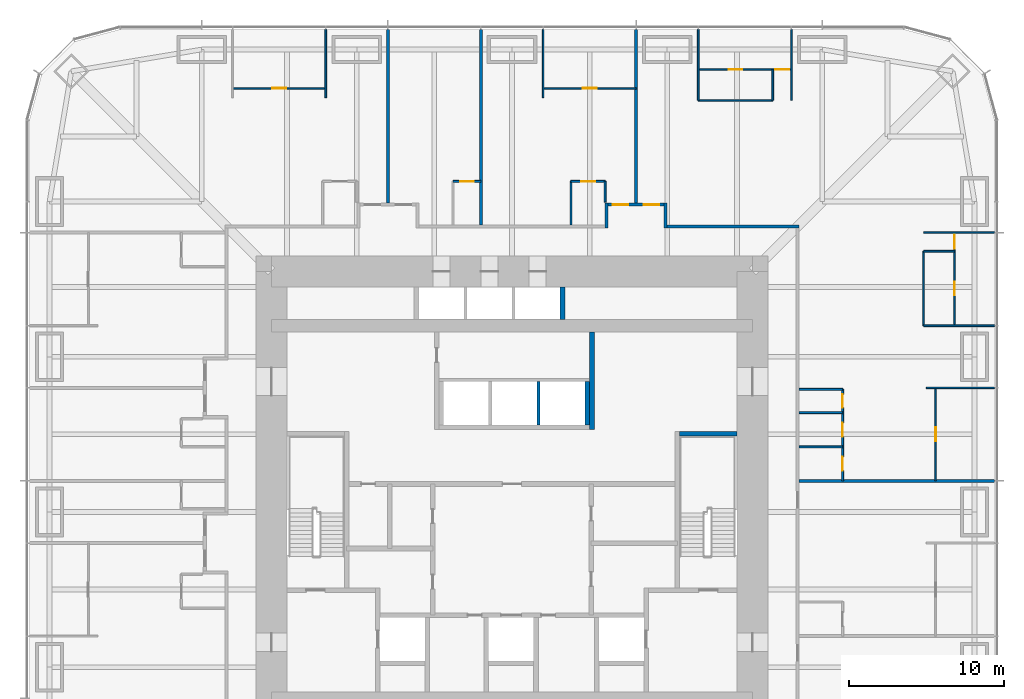
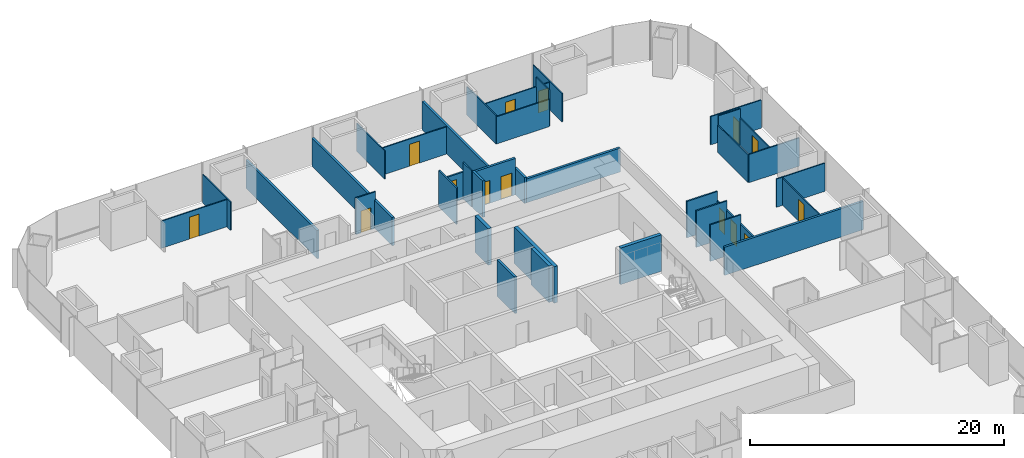
# One storey, part 15 of 17: 37 walls, 14 doors, 14 openings.
"""IFC4 building model written with IfcOpenShell, lengths in metres."""

from ifc_helpers import new_model, si_unit, direction, frame, frame_2d, origin, place, context, subcontext, project, spatial, rectangle, extrude, material, layer, layer_set, type_object, element, fill, save


model = new_model("IFC4")

# Units and contexts
model_context = context("Model", 3, precision=1e-05, world=origin(), true_north=direction((0.0, 1.0)))
body_context = subcontext(model_context, "Body", "Model", "MODEL_VIEW")
ifc_project = project(units=[si_unit("LENGTHUNIT", "METRE"), si_unit("AREAUNIT", "SQUARE_METRE"), si_unit("VOLUMEUNIT", "CUBIC_METRE"), si_unit("PLANEANGLEUNIT", "RADIAN"), si_unit("MASSUNIT", "GRAM", prefix="KILO")], contexts=[model_context])

# Site, building, storey
site_placement = place(None, origin())
site = spatial("IfcSite", under=ifc_project, at=site_placement, CompositionType="ELEMENT")
building_placement = place(site_placement, origin())
building = spatial("IfcBuilding", under=site, at=building_placement, Name="Khuree Lantern Residences", CompositionType="ELEMENT")
storey_placement = place(building_placement, frame((0.0, 0.0, 73.5)))
storey = spatial("IfcBuildingStorey", under=building, at=storey_placement, Name="L18", CompositionType="ELEMENT", Elevation=73.5)

# Wall, openings, doors
ifc_material_1 = material(Name="Moisture-resistant gypsum board on steel studs", Category="steel")
ifc_layer_1 = layer(ifc_material_1, 0.125)
ifc_layer_set_1 = layer_set([ifc_layer_1], Name="BATHROOM WALL BTW125")
wall_type_1 = type_object("IfcWallType", Name="BATHROOM WALL BTW125", PredefinedType="PARTITIONING", material=ifc_layer_set_1)
wall_1_placement = place(storey_placement, frame((21.300048828125, 2.0, 0.0), z_axis=(0.0, 0.0, 1.0), x_axis=(0.0, 1.0, 0.0)))
wall_1 = element("IfcWall", 1, at=wall_1_placement, inside=storey, type_object=wall_type_1, Name="L18 BATHROOM WALL 02", PredefinedType="PARTITIONING", context=body_context, shape_type="SweptSolid", body=[
    extrude(rectangle(XDim=5.89990234375, YDim=0.125, at=frame_2d((2.949951171875, 0.0))), origin(), (0.0, 0.0, 1.0), 2.610107421875),
])
opening_1_placement = place(wall_1_placement, frame((0.64990234375, 0.0, 0.0)))
opening_1 = element("IfcOpeningElement", 2, at=opening_1_placement, cuts=wall_1, Name="Opening 18-030", PredefinedType="OPENING", context=body_context, shape_type="SweptSolid", body=[
    extrude(rectangle(XDim=0.89990234375, YDim=2.10009765625, at=frame_2d((0.449951171875, 1.050048828125))), frame((0.0, 0.072509765625, 0.0), z_axis=(0.0, -1.0, 0.0), x_axis=(1.0, 0.0, 0.0)), (0.0, 0.0, 1.0), 0.14501953125),
])
opening_2_placement = place(wall_1_placement, frame((2.85009765625, 0.0, 0.0)))
opening_2 = element("IfcOpeningElement", 3, at=opening_2_placement, cuts=wall_1, Name="Opening 18-031", PredefinedType="OPENING", context=body_context, shape_type="SweptSolid", body=[
    extrude(rectangle(XDim=0.89990234375, YDim=2.10009765625, at=frame_2d((0.449951171875, 1.050048828125))), frame((0.0, 0.072509765625, 0.0), z_axis=(0.0, -1.0, 0.0), x_axis=(1.0, 0.0, 0.0)), (0.0, 0.0, 1.0), 0.14501953125),
])
opening_3_placement = place(wall_1_placement, frame((4.699951171875, 0.0, 0.0)))
opening_3 = element("IfcOpeningElement", 4, at=opening_3_placement, cuts=wall_1, Name="Opening 18-032", PredefinedType="OPENING", context=body_context, shape_type="SweptSolid", body=[
    extrude(rectangle(XDim=0.89990234375, YDim=2.10009765625, at=frame_2d((0.449951171875, 1.050048828125))), frame((0.0, 0.072509765625, 0.0), z_axis=(0.0, -1.0, 0.0), x_axis=(1.0, 0.0, 0.0)), (0.0, 0.0, 1.0), 0.14501953125),
])
ifc_material_2 = material(Name="Timber door leaf in hardwood frame", Category="wood")
door_type_1 = type_object("IfcDoorType", Name="BATHROOM DOOR 900X2100", OperationType="SINGLE_SWING_LEFT", PredefinedType="DOOR", material=ifc_material_2)
door_1_placement = place(opening_1_placement, origin())
door_1 = element("IfcDoor", 5, at=door_1_placement, inside=storey, type_object=door_type_1, Name="Bathroom door 18-030", OperationType="SINGLE_SWING_LEFT", OverallHeight=2.10009765625, OverallWidth=0.89990234375, PredefinedType="DOOR", context=body_context, shape_type="SweptSolid", body=[
    extrude(rectangle(XDim=0.89990234375, YDim=2.10009765625, at=frame_2d((0.449951171875, 1.050048828125))), frame((0.0, 0.02490234375, 0.0), z_axis=(0.0, -1.0, 0.0), x_axis=(1.0, 0.0, 0.0)), (0.0, 0.0, 1.0), 0.050048828125),
])
fill(opening_1, door_1)
door_2_placement = place(opening_2_placement, origin())
door_2 = element("IfcDoor", 6, at=door_2_placement, inside=storey, type_object=door_type_1, Name="Bathroom door 18-031", OperationType="SINGLE_SWING_LEFT", OverallHeight=2.10009765625, OverallWidth=0.89990234375, PredefinedType="DOOR", context=body_context, shape_type="SweptSolid", body=[
    extrude(rectangle(XDim=0.89990234375, YDim=2.10009765625, at=frame_2d((0.449951171875, 1.050048828125))), frame((0.0, 0.02490234375, 0.0), z_axis=(0.0, -1.0, 0.0), x_axis=(1.0, 0.0, 0.0)), (0.0, 0.0, 1.0), 0.050048828125),
])
fill(opening_2, door_2)
door_type_2 = type_object("IfcDoorType", Name="WC DOOR 900X2100", OperationType="SINGLE_SWING_LEFT", PredefinedType="DOOR", material=ifc_material_2)
door_3_placement = place(opening_3_placement, origin())
door_3 = element("IfcDoor", 7, at=door_3_placement, inside=storey, type_object=door_type_2, Name="WC door 18-032", OperationType="SINGLE_SWING_LEFT", OverallHeight=2.10009765625, OverallWidth=0.89990234375, PredefinedType="DOOR", context=body_context, shape_type="SweptSolid", body=[
    extrude(rectangle(XDim=0.89990234375, YDim=2.10009765625, at=frame_2d((0.449951171875, 1.050048828125))), frame((0.0, 0.02490234375, 0.0), z_axis=(0.0, -1.0, 0.0), x_axis=(1.0, 0.0, 0.0)), (0.0, 0.0, 1.0), 0.050048828125),
])
fill(opening_3, door_3)

# Walls
for number, where, z_axis, x_axis, name in (
    (8, (18.5, 4.199951171875, 0.0), (0.0, 0.0, 1.0), (1.0, 0.0, 0.0), "L18 BATHROOM WALL 02"),
    (9, (18.5, 6.39990234375, 0.0), (0.0, 0.0, 1.0), (1.0, 0.0, 0.0), "L18 BATHROOM WALL 02"),
    (10, (18.5, 7.89990234375, 0.0), (0.0, 0.0, 1.0), (1.0, 0.0, 0.0), "L18 BATHROOM WALL 02"),
):
    element("IfcWall", number, at=place(storey_placement, frame(where, z_axis=z_axis, x_axis=x_axis)), inside=storey, type_object=wall_type_1, Name=name, PredefinedType="PARTITIONING", context=body_context, shape_type="SweptSolid", body=[
        extrude(rectangle(XDim=2.800048828125, YDim=0.125, at=frame_2d((1.39990234375, 0.0))), origin(), (0.0, 0.0, 1.0), 3.5),
    ])

# Wall, opening, door
wall_2_placement = place(storey_placement, frame((6.0, 21.300048828125, 0.0), z_axis=(0.0, 0.0, 1.0), x_axis=(-1.0, 0.0, 0.0)))
wall_2 = element("IfcWall", 11, at=wall_2_placement, inside=storey, type_object=wall_type_1, Name="L18 BATHROOM WALL 03", PredefinedType="PARTITIONING", context=body_context, shape_type="SweptSolid", body=[
    extrude(rectangle(XDim=2.199951171875, YDim=0.125, at=frame_2d((1.10009765625, 0.0))), origin(), (0.0, 0.0, 1.0), 2.610107421875),
])
opening_4_placement = place(wall_2_placement, frame((0.64990234375, 0.0, 0.0)))
opening_4 = element("IfcOpeningElement", 12, at=opening_4_placement, cuts=wall_2, Name="Opening 18-035", PredefinedType="OPENING", context=body_context, shape_type="SweptSolid", body=[
    extrude(rectangle(XDim=0.89990234375, YDim=2.10009765625, at=frame_2d((0.449951171875, 1.050048828125))), frame((0.0, 0.072509765625, 0.0), z_axis=(0.0, -1.0, 0.0), x_axis=(1.0, 0.0, 0.0)), (0.0, 0.0, 1.0), 0.14501953125),
])
door_4_placement = place(opening_4_placement, origin())
door_4 = element("IfcDoor", 13, at=door_4_placement, inside=storey, type_object=door_type_1, Name="Bathroom door 18-035", OperationType="SINGLE_SWING_LEFT", OverallHeight=2.10009765625, OverallWidth=0.89990234375, PredefinedType="DOOR", context=body_context, shape_type="SweptSolid", body=[
    extrude(rectangle(XDim=0.89990234375, YDim=2.10009765625, at=frame_2d((0.449951171875, 1.050048828125))), frame((0.0, 0.02490234375, 0.0), z_axis=(0.0, -1.0, 0.0), x_axis=(1.0, 0.0, 0.0)), (0.0, 0.0, 1.0), 0.050048828125),
])
fill(opening_4, door_4)

# Walls
wall_3_placement = place(storey_placement, frame((6.0, 19.969970703125, 0.0), z_axis=(0.0, 0.0, 1.0), x_axis=(0.0, 1.0, 0.0)))
element("IfcWall", 14, at=wall_3_placement, inside=storey, type_object=wall_type_1, Name="L18 BATHROOM WALL 03", PredefinedType="PARTITIONING", context=body_context, shape_type="SweptSolid", body=[
    extrude(rectangle(XDim=1.330078125, YDim=0.125, at=frame_2d((0.6650390625, 0.0))), origin(), (0.0, 0.0, 1.0), 3.5),
])
wall_4_placement = place(storey_placement, frame((3.800048828125, 18.5, 0.0), z_axis=(0.0, 0.0, 1.0), x_axis=(0.0, 1.0, 0.0)))
element("IfcWall", 15, at=wall_4_placement, inside=storey, type_object=wall_type_1, Name="L18 BATHROOM WALL 03", PredefinedType="PARTITIONING", context=body_context, shape_type="SweptSolid", body=[
    extrude(rectangle(XDim=2.800048828125, YDim=0.125, at=frame_2d((1.39990234375, 0.0))), origin(), (0.0, 0.0, 1.0), 3.5),
])

# Wall, opening, door
wall_5_placement = place(storey_placement, frame((-2.0, 21.300048828125, 0.0), z_axis=(0.0, 0.0, 1.0), x_axis=(-1.0, 0.0, 0.0)))
wall_5 = element("IfcWall", 16, at=wall_5_placement, inside=storey, type_object=wall_type_1, Name="L18 BATHROOM WALL 04", PredefinedType="PARTITIONING", context=body_context, shape_type="SweptSolid", body=[
    extrude(rectangle(XDim=1.800048828125, YDim=0.125, at=frame_2d((0.89990234375, 0.0))), origin(), (0.0, 0.0, 1.0), 3.5),
])
opening_5_placement = place(wall_5_placement, frame((0.449951171875, 0.0, 0.0)))
opening_5 = element("IfcOpeningElement", 17, at=opening_5_placement, cuts=wall_5, Name="Opening 18-037", PredefinedType="OPENING", context=body_context, shape_type="SweptSolid", body=[
    extrude(rectangle(XDim=0.89990234375, YDim=2.10009765625, at=frame_2d((0.449951171875, 1.050048828125))), frame((0.0, 0.072509765625, 0.0), z_axis=(0.0, -1.0, 0.0), x_axis=(1.0, 0.0, 0.0)), (0.0, 0.0, 1.0), 0.14501953125),
])
door_5_placement = place(opening_5_placement, origin())
door_5 = element("IfcDoor", 18, at=door_5_placement, inside=storey, type_object=door_type_1, Name="Bathroom door 18-037", OperationType="SINGLE_SWING_LEFT", OverallHeight=2.10009765625, OverallWidth=0.89990234375, PredefinedType="DOOR", context=body_context, shape_type="SweptSolid", body=[
    extrude(rectangle(XDim=0.89990234375, YDim=2.10009765625, at=frame_2d((0.449951171875, 1.050048828125))), frame((0.0, 0.02490234375, 0.0), z_axis=(0.0, -1.0, 0.0), x_axis=(1.0, 0.0, 0.0)), (0.0, 0.0, 1.0), 0.050048828125),
])
fill(opening_5, door_5)

# Walls
ifc_material_3 = material(Name="Dense concrete blockwork", Category="masonry")
ifc_layer_2 = layer(ifc_material_3, 0.300048828125)
ifc_layer_set_2 = layer_set([ifc_layer_2], Name="CORE PARTITION WALL CPW300 EI 120")
wall_type_2 = type_object("IfcWallType", Name="CORE PARTITION WALL CPW300 EI 120", PredefinedType="PARTITIONING", material=ifc_layer_set_2)
wall_6_placement = place(storey_placement, frame((4.85009765625, 5.60009765625, 0.0), z_axis=(0.0, 0.0, 1.0), x_axis=(0.0, 1.0, 0.0)))
element("IfcWall", 19, at=wall_6_placement, inside=storey, type_object=wall_type_2, Name="L18 CORE WALL PHE", PredefinedType="PARTITIONING", context=body_context, shape_type="SweptSolid", body=[
    extrude(rectangle(XDim=2.7998046875, YDim=0.300048828125, at=frame_2d((1.39990234375, 0.0))), origin(), (0.0, 0.0, 1.0), 3.5),
])
wall_7_placement = place(storey_placement, frame((3.25, 12.39990234375, 0.0), z_axis=(0.0, 0.0, 1.0), x_axis=(0.0, 1.0, 0.0)))
element("IfcWall", 20, at=wall_7_placement, inside=storey, type_object=wall_type_2, Name="L18 CORE WALL PLE", PredefinedType="PARTITIONING", context=body_context, shape_type="SweptSolid", body=[
    extrude(rectangle(XDim=2.10009765625, YDim=0.300048828125, at=frame_2d((1.050048828125, 0.0))), origin(), (0.0, 0.0, 1.0), 3.5),
])
wall_8_placement = place(storey_placement, frame((5.14990234375, 5.300048828125, 0.0), z_axis=(0.0, 0.0, 1.0), x_axis=(0.0, 1.0, 0.0)))
element("IfcWall", 21, at=wall_8_placement, inside=storey, type_object=wall_type_2, Name="L18 CORE WALL NE", PredefinedType="PARTITIONING", context=body_context, shape_type="SweptSolid", body=[
    extrude(rectangle(XDim=6.300048828125, YDim=0.300048828125, at=frame_2d((3.14990234375, 0.0))), origin(), (0.0, 0.0, 1.0), 3.5),
])
ifc_material_4 = material(Name="Gypsum board on steel studs", Category="steel")
ifc_layer_3 = layer(ifc_material_4, 0.199951171875)
ifc_layer_set_3 = layer_set([ifc_layer_3], Name="CORRIDOR WALL CRW200 EI 60")
wall_type_3 = type_object("IfcWallType", Name="CORRIDOR WALL CRW200 EI 60", PredefinedType="PARTITIONING", material=ifc_layer_set_3)
wall_9_placement = place(storey_placement, frame((6.10009765625, 18.300048828125, 0.0), z_axis=(0.0, 0.0, 1.0), x_axis=(0.0, 1.0, 0.0)))
element("IfcWall", 22, at=wall_9_placement, inside=storey, type_object=wall_type_3, Name="L18 CORRIDOR ALCOVE WALL NORTH", PredefinedType="PARTITIONING", context=body_context, shape_type="SweptSolid", body=[
    extrude(rectangle(XDim=1.599853515625, YDim=0.199951171875, at=frame_2d((0.7998046875, 0.0))), origin(), (0.0, 0.0, 1.0), 3.5),
])
wall_10_placement = place(storey_placement, frame((9.89990234375, 18.300048828125, 0.0), z_axis=(0.0, 0.0, 1.0), x_axis=(0.0, 1.0, 0.0)))
element("IfcWall", 23, at=wall_10_placement, inside=storey, type_object=wall_type_3, Name="L18 CORRIDOR ALCOVE WALL NORTH", PredefinedType="PARTITIONING", context=body_context, shape_type="SweptSolid", body=[
    extrude(rectangle(XDim=1.599853515625, YDim=0.199951171875, at=frame_2d((0.7998046875, 0.0))), origin(), (0.0, 0.0, 1.0), 2.491943359375),
])

# Wall, openings, doors
wall_11_placement = place(storey_placement, frame((6.199951171875, 19.800048828125, 0.0), z_axis=(0.0, 0.0, 1.0), x_axis=(1.0, 0.0, 0.0)))
wall_11 = element("IfcWall", 24, at=wall_11_placement, inside=storey, type_object=wall_type_3, Name="L18 CORRIDOR ALCOVE WALL NORTH", PredefinedType="PARTITIONING", context=body_context, shape_type="SweptSolid", body=[
    extrude(rectangle(XDim=3.60009765625, YDim=0.199951171875, at=frame_2d((1.800048828125, 0.0))), origin(), (0.0, 0.0, 1.0), 3.5),
])
opening_6_placement = place(wall_11_placement, frame((2.300048828125, 0.0, 0.0)))
opening_6 = element("IfcOpeningElement", 25, at=opening_6_placement, cuts=wall_11, Name="Opening 18-033", PredefinedType="OPENING", context=body_context, shape_type="SweptSolid", body=[
    extrude(rectangle(XDim=1.0, YDim=2.199951171875, at=frame_2d((0.5, 1.10009765625))), frame((0.0, 0.10986328125, 0.0), z_axis=(0.0, -1.0, 0.0), x_axis=(1.0, 0.0, 0.0)), (0.0, 0.0, 1.0), 0.219970703125),
])
opening_7_placement = place(wall_11_placement, frame((0.300048828125, 0.0, 0.0)))
opening_7 = element("IfcOpeningElement", 26, at=opening_7_placement, cuts=wall_11, Name="Opening 18-036", PredefinedType="OPENING", context=body_context, shape_type="SweptSolid", body=[
    extrude(rectangle(XDim=1.0, YDim=2.199951171875, at=frame_2d((0.5, 1.10009765625))), frame((0.0, 0.10986328125, 0.0), z_axis=(0.0, -1.0, 0.0), x_axis=(1.0, 0.0, 0.0)), (0.0, 0.0, 1.0), 0.219970703125),
])
door_type_3 = type_object("IfcDoorType", Name="APARTMENT ENTRANCE DOOR 1000X2200 EI 30S", OperationType="SINGLE_SWING_LEFT", PredefinedType="DOOR", material=ifc_material_2)
door_6_placement = place(opening_6_placement, origin())
door_6 = element("IfcDoor", 27, at=door_6_placement, inside=storey, type_object=door_type_3, Name="Apartment 02 entrance door 18-033", OperationType="SINGLE_SWING_LEFT", OverallHeight=2.199951171875, OverallWidth=1.0, PredefinedType="DOOR", context=body_context, shape_type="SweptSolid", body=[
    extrude(rectangle(XDim=1.0, YDim=2.199951171875, at=frame_2d((0.5, 1.10009765625))), frame((0.0, 0.02490234375, 0.0), z_axis=(0.0, -1.0, 0.0), x_axis=(1.0, 0.0, 0.0)), (0.0, 0.0, 1.0), 0.050048828125),
])
fill(opening_6, door_6)
door_7_placement = place(opening_7_placement, origin())
door_7 = element("IfcDoor", 28, at=door_7_placement, inside=storey, type_object=door_type_3, Name="Apartment 03 entrance door 18-036", OperationType="SINGLE_SWING_LEFT", OverallHeight=2.199951171875, OverallWidth=1.0, PredefinedType="DOOR", context=body_context, shape_type="SweptSolid", body=[
    extrude(rectangle(XDim=1.0, YDim=2.199951171875, at=frame_2d((0.5, 1.10009765625))), frame((0.0, 0.02490234375, 0.0), z_axis=(0.0, -1.0, 0.0), x_axis=(1.0, 0.0, 0.0)), (0.0, 0.0, 1.0), 0.050048828125),
])
fill(opening_7, door_7)

# Walls
wall_12_placement = place(storey_placement, frame((10.0, 18.39990234375, 0.0), z_axis=(0.0, 0.0, 1.0), x_axis=(1.0, 0.0, 0.0)))
element("IfcWall", 29, at=wall_12_placement, inside=storey, type_object=wall_type_3, Name="L18 CORRIDOR WALL NORTH 3", PredefinedType="PARTITIONING", context=body_context, shape_type="SweptSolid", body=[
    extrude(rectangle(XDim=8.5, YDim=0.199951171875, at=frame_2d((4.25, 0.0))), origin(), (0.0, 0.0, 1.0), 2.300048828125),
])
ifc_layer_4 = layer(ifc_material_4, 0.199951171875)
ifc_layer_set_4 = layer_set([ifc_layer_4], Name="DEMISING WALL DMW200 EI 90")
wall_type_4 = type_object("IfcWallType", Name="DEMISING WALL DMW200 EI 90", PredefinedType="PARTITIONING", material=ifc_layer_set_4)
wall_13_placement = place(storey_placement, frame((18.5, 2.0, 0.0), z_axis=(0.0, 0.0, 1.0), x_axis=(1.0, 0.0, 0.0)))
element("IfcWall", 30, at=wall_13_placement, inside=storey, type_object=wall_type_4, Name="L18 DEMISING WALL 02", PredefinedType="PARTITIONING", context=body_context, shape_type="SweptSolid", body=[
    extrude(rectangle(XDim=12.60009765625, YDim=0.199951171875, at=frame_2d((6.300048828125, 0.0))), origin(), (0.0, 0.0, 1.0), 2.7099609375),
])
wall_14_placement = place(storey_placement, frame((8.0, 19.89990234375, 0.0), z_axis=(0.0, 0.0, 1.0), x_axis=(0.0, 1.0, 0.0)))
element("IfcWall", 31, at=wall_14_placement, inside=storey, type_object=wall_type_4, Name="L18 DEMISING WALL 03", PredefinedType="PARTITIONING", context=body_context, shape_type="SweptSolid", body=[
    extrude(rectangle(XDim=11.2001953125, YDim=0.199951171875, at=frame_2d((5.60009765625, 0.0))), origin(), (0.0, 0.0, 1.0), 2.7099609375),
])
wall_15_placement = place(storey_placement, frame((-2.0, 18.5, 0.0), z_axis=(0.0, 0.0, 1.0), x_axis=(0.0, 1.0, 0.0)))
element("IfcWall", 32, at=wall_15_placement, inside=storey, type_object=wall_type_4, Name="L18 DEMISING WALL 04", PredefinedType="PARTITIONING", context=body_context, shape_type="SweptSolid", body=[
    extrude(rectangle(XDim=12.60009765625, YDim=0.199951171875, at=frame_2d((6.300048828125, 0.0))), origin(), (0.0, 0.0, 1.0), 2.7099609375),
])
wall_16_placement = place(storey_placement, frame((-8.0, 19.89990234375, 0.0), z_axis=(0.0, 0.0, 1.0), x_axis=(0.0, 1.0, 0.0)))
element("IfcWall", 33, at=wall_16_placement, inside=storey, type_object=wall_type_4, Name="L18 DEMISING WALL 05", PredefinedType="PARTITIONING", context=body_context, shape_type="SweptSolid", body=[
    extrude(rectangle(XDim=11.2001953125, YDim=0.199951171875, at=frame_2d((5.60009765625, 0.0))), origin(), (0.0, 0.0, 1.0), 2.7099609375),
])
ifc_layer_5 = layer(ifc_material_4, 0.10009765625)
ifc_layer_set_5 = layer_set([ifc_layer_5], Name="PARTITION PT100")
wall_type_5 = type_object("IfcWallType", Name="PARTITION PT100", PredefinedType="PARTITIONING", material=ifc_layer_set_5)
wall_17_placement = place(storey_placement, frame((26.699951171875, 8.0, 0.0), z_axis=(0.0, 0.0, 1.0), x_axis=(1.0, 0.0, 0.0)))
element("IfcWall", 34, at=wall_17_placement, inside=storey, type_object=wall_type_5, Name="L18 PARTITION 02", PredefinedType="PARTITIONING", context=body_context, shape_type="SweptSolid", body=[
    extrude(rectangle(XDim=4.400146484375, YDim=0.10009765625, at=frame_2d((2.2001953125, 0.0))), origin(), (0.0, 0.0, 1.0), 2.7099609375),
])
for number, where, z_axis, x_axis, name in (
    (35, (26.5166015625, 12.0, 0.0), (0.0, 0.0, 1.0), (1.0, 0.0, 0.0), "L18 PARTITION 02"),
    (36, (26.5166015625, 18.0, 0.0), (0.0, 0.0, 1.0), (1.0, 0.0, 0.0), "L18 PARTITION 02"),
    (37, (18.0, 26.5166015625, 0.0), (0.0, 0.0, 1.0), (0.0, 1.0, 0.0), "L18 PARTITION 02"),
    (38, (12.0, 26.5166015625, 0.0), (0.0, 0.0, 1.0), (0.0, 1.0, 0.0), "L18 PARTITION 02"),
):
    element("IfcWall", number, at=place(storey_placement, frame(where, z_axis=z_axis, x_axis=x_axis)), inside=storey, type_object=wall_type_5, Name=name, PredefinedType="PARTITIONING", context=body_context, shape_type="SweptSolid", body=[
        extrude(rectangle(XDim=4.58349609375, YDim=0.10009765625, at=frame_2d((2.291748046875, 0.0))), origin(), (0.0, 0.0, 1.0), 2.7099609375),
    ])
for number, where, z_axis, x_axis, name in (
    (39, (2.0, 26.699951171875, 0.0), (0.0, 0.0, 1.0), (0.0, 1.0, 0.0), "L18 PARTITION 03"),
    (40, (-12.0, 26.699951171875, 0.0), (0.0, 0.0, 1.0), (0.0, 1.0, 0.0), "L18 PARTITION 05"),
):
    element("IfcWall", number, at=place(storey_placement, frame(where, z_axis=z_axis, x_axis=x_axis)), inside=storey, type_object=wall_type_5, Name=name, PredefinedType="PARTITIONING", context=body_context, shape_type="SweptSolid", body=[
        extrude(rectangle(XDim=4.400146484375, YDim=0.10009765625, at=frame_2d((2.2001953125, 0.0))), origin(), (0.0, 0.0, 1.0), 2.7099609375),
    ])

# Wall, opening, door
wall_18_placement = place(storey_placement, frame((27.300048828125, 2.0, 0.0), z_axis=(0.0, 0.0, 1.0), x_axis=(0.0, 1.0, 0.0)))
wall_18 = element("IfcWall", 41, at=wall_18_placement, inside=storey, type_object=wall_type_5, Name="L18 PARTITION 02", PredefinedType="PARTITIONING", context=body_context, shape_type="SweptSolid", body=[
    extrude(rectangle(XDim=6.0, YDim=0.10009765625, at=frame_2d((3.0, 0.0))), origin(), (0.0, 0.0, 1.0), 2.610107421875),
])
opening_8_placement = place(wall_18_placement, frame((2.550048828125, 0.0, 0.0)))
opening_8 = element("IfcOpeningElement", 42, at=opening_8_placement, cuts=wall_18, Name="Opening 18-025", PredefinedType="OPENING", context=body_context, shape_type="SweptSolid", body=[
    extrude(rectangle(XDim=0.89990234375, YDim=2.10009765625, at=frame_2d((0.449951171875, 1.050048828125))), frame((0.0, 0.06005859375, 0.0), z_axis=(0.0, -1.0, 0.0), x_axis=(1.0, 0.0, 0.0)), (0.0, 0.0, 1.0), 0.1201171875),
])
door_type_4 = type_object("IfcDoorType", Name="BEDROOM DOOR 900X2100", OperationType="SINGLE_SWING_LEFT", PredefinedType="DOOR", material=ifc_material_2)
door_8_placement = place(opening_8_placement, origin())
door_8 = element("IfcDoor", 43, at=door_8_placement, inside=storey, type_object=door_type_4, Name="Bedroom door 18-025", OperationType="SINGLE_SWING_LEFT", OverallHeight=2.10009765625, OverallWidth=0.89990234375, PredefinedType="DOOR", context=body_context, shape_type="SweptSolid", body=[
    extrude(rectangle(XDim=0.89990234375, YDim=2.10009765625, at=frame_2d((0.449951171875, 1.050048828125))), frame((0.0, 0.02490234375, 0.0), z_axis=(0.0, -1.0, 0.0), x_axis=(1.0, 0.0, 0.0)), (0.0, 0.0, 1.0), 0.050048828125),
])
fill(opening_8, door_8)

# Wall, openings, doors
wall_19_placement = place(storey_placement, frame((28.5166015625, 12.0, 0.0), z_axis=(0.0, 0.0, 1.0), x_axis=(0.0, 1.0, 0.0)))
wall_19 = element("IfcWall", 44, at=wall_19_placement, inside=storey, type_object=wall_type_5, Name="L18 PARTITION 02", PredefinedType="PARTITIONING", context=body_context, shape_type="SweptSolid", body=[
    extrude(rectangle(XDim=6.0, YDim=0.10009765625, at=frame_2d((3.0, 0.0))), origin(), (0.0, 0.0, 1.0), 2.610107421875),
])
opening_9_placement = place(wall_19_placement, frame((4.949951171875, 0.0, 0.0)))
opening_9 = element("IfcOpeningElement", 45, at=opening_9_placement, cuts=wall_19, Name="Opening 18-026", PredefinedType="OPENING", context=body_context, shape_type="SweptSolid", body=[
    extrude(rectangle(XDim=0.89990234375, YDim=2.10009765625, at=frame_2d((0.449951171875, 1.050048828125))), frame((0.0, 0.06005859375, 0.0), z_axis=(0.0, -1.0, 0.0), x_axis=(1.0, 0.0, 0.0)), (0.0, 0.0, 1.0), 0.1201171875),
])
opening_10_placement = place(wall_19_placement, frame((1.949951171875, 0.0, 0.0)))
opening_10 = element("IfcOpeningElement", 46, at=opening_10_placement, cuts=wall_19, Name="Opening 18-027", PredefinedType="OPENING", context=body_context, shape_type="SweptSolid", body=[
    extrude(rectangle(XDim=0.89990234375, YDim=2.10009765625, at=frame_2d((0.449951171875, 1.050048828125))), frame((0.0, 0.06005859375, 0.0), z_axis=(0.0, -1.0, 0.0), x_axis=(1.0, 0.0, 0.0)), (0.0, 0.0, 1.0), 0.1201171875),
])
door_9_placement = place(opening_9_placement, origin())
door_9 = element("IfcDoor", 47, at=door_9_placement, inside=storey, type_object=door_type_4, Name="Bedroom door 18-026", OperationType="SINGLE_SWING_LEFT", OverallHeight=2.10009765625, OverallWidth=0.89990234375, PredefinedType="DOOR", context=body_context, shape_type="SweptSolid", body=[
    extrude(rectangle(XDim=0.89990234375, YDim=2.10009765625, at=frame_2d((0.449951171875, 1.050048828125))), frame((0.0, 0.02490234375, 0.0), z_axis=(0.0, -1.0, 0.0), x_axis=(1.0, 0.0, 0.0)), (0.0, 0.0, 1.0), 0.050048828125),
])
fill(opening_9, door_9)
door_type_5 = type_object("IfcDoorType", Name="DOOR 900X2100", OperationType="SINGLE_SWING_LEFT", PredefinedType="DOOR", material=ifc_material_2)
door_10_placement = place(opening_10_placement, origin())
door_10 = element("IfcDoor", 48, at=door_10_placement, inside=storey, type_object=door_type_5, Name="Wardrobe door 18-027", OperationType="SINGLE_SWING_LEFT", OverallHeight=2.10009765625, OverallWidth=0.89990234375, PredefinedType="DOOR", context=body_context, shape_type="SweptSolid", body=[
    extrude(rectangle(XDim=0.89990234375, YDim=2.10009765625, at=frame_2d((0.449951171875, 1.050048828125))), frame((0.0, 0.02490234375, 0.0), z_axis=(0.0, -1.0, 0.0), x_axis=(1.0, 0.0, 0.0)), (0.0, 0.0, 1.0), 0.050048828125),
])
fill(opening_10, door_10)

# Walls
wall_20_placement = place(storey_placement, frame((26.5166015625, 16.800048828125, 0.0), z_axis=(0.0, 0.0, 1.0), x_axis=(1.0, 0.0, 0.0)))
element("IfcWall", 49, at=wall_20_placement, inside=storey, type_object=wall_type_5, Name="L18 PARTITION 02", PredefinedType="PARTITIONING", context=body_context, shape_type="SweptSolid", body=[
    extrude(rectangle(XDim=2.0, YDim=0.10009765625, at=frame_2d((1.0, 0.0))), origin(), (0.0, 0.0, 1.0), 3.5),
])
wall_21_placement = place(storey_placement, frame((26.5166015625, 12.0, 0.0), z_axis=(0.0, 0.0, 1.0), x_axis=(0.0, 1.0, 0.0)))
element("IfcWall", 50, at=wall_21_placement, inside=storey, type_object=wall_type_5, Name="L18 PARTITION 02", PredefinedType="PARTITIONING", context=body_context, shape_type="SweptSolid", body=[
    extrude(rectangle(XDim=4.800048828125, YDim=0.10009765625, at=frame_2d((2.39990234375, 0.0))), origin(), (0.0, 0.0, 1.0), 2.610107421875),
])

# Wall, openings, doors
wall_22_placement = place(storey_placement, frame((18.0, 28.5166015625, 0.0), z_axis=(0.0, 0.0, 1.0), x_axis=(-1.0, 0.0, 0.0)))
wall_22 = element("IfcWall", 51, at=wall_22_placement, inside=storey, type_object=wall_type_5, Name="L18 PARTITION 02", PredefinedType="PARTITIONING", context=body_context, shape_type="SweptSolid", body=[
    extrude(rectangle(XDim=6.0, YDim=0.10009765625, at=frame_2d((3.0, 0.0))), origin(), (0.0, 0.0, 1.0), 2.610107421875),
])
opening_11_placement = place(wall_22_placement, frame((0.14990234375, 0.0, 0.0)))
opening_11 = element("IfcOpeningElement", 52, at=opening_11_placement, cuts=wall_22, Name="Opening 18-028", PredefinedType="OPENING", context=body_context, shape_type="SweptSolid", body=[
    extrude(rectangle(XDim=0.89990234375, YDim=2.10009765625, at=frame_2d((0.449951171875, 1.050048828125))), frame((0.0, 0.06005859375, 0.0), z_axis=(0.0, -1.0, 0.0), x_axis=(1.0, 0.0, 0.0)), (0.0, 0.0, 1.0), 0.1201171875),
])
opening_12_placement = place(wall_22_placement, frame((3.14990234375, 0.0, 0.0)))
opening_12 = element("IfcOpeningElement", 53, at=opening_12_placement, cuts=wall_22, Name="Opening 18-029", PredefinedType="OPENING", context=body_context, shape_type="SweptSolid", body=[
    extrude(rectangle(XDim=0.89990234375, YDim=2.10009765625, at=frame_2d((0.449951171875, 1.050048828125))), frame((0.0, 0.06005859375, 0.0), z_axis=(0.0, -1.0, 0.0), x_axis=(1.0, 0.0, 0.0)), (0.0, 0.0, 1.0), 0.1201171875),
])
door_11_placement = place(opening_11_placement, origin())
door_11 = element("IfcDoor", 54, at=door_11_placement, inside=storey, type_object=door_type_4, Name="Bedroom door 18-028", OperationType="SINGLE_SWING_LEFT", OverallHeight=2.10009765625, OverallWidth=0.89990234375, PredefinedType="DOOR", context=body_context, shape_type="SweptSolid", body=[
    extrude(rectangle(XDim=0.89990234375, YDim=2.10009765625, at=frame_2d((0.449951171875, 1.050048828125))), frame((0.0, 0.02490234375, 0.0), z_axis=(0.0, -1.0, 0.0), x_axis=(1.0, 0.0, 0.0)), (0.0, 0.0, 1.0), 0.050048828125),
])
fill(opening_11, door_11)
door_12_placement = place(opening_12_placement, origin())
door_12 = element("IfcDoor", 55, at=door_12_placement, inside=storey, type_object=door_type_5, Name="Wardrobe door 18-029", OperationType="SINGLE_SWING_LEFT", OverallHeight=2.10009765625, OverallWidth=0.89990234375, PredefinedType="DOOR", context=body_context, shape_type="SweptSolid", body=[
    extrude(rectangle(XDim=0.89990234375, YDim=2.10009765625, at=frame_2d((0.449951171875, 1.050048828125))), frame((0.0, 0.02490234375, 0.0), z_axis=(0.0, -1.0, 0.0), x_axis=(1.0, 0.0, 0.0)), (0.0, 0.0, 1.0), 0.050048828125),
])
fill(opening_12, door_12)

# Walls
wall_23_placement = place(storey_placement, frame((16.800048828125, 26.5166015625, 0.0), z_axis=(0.0, 0.0, 1.0), x_axis=(0.0, 1.0, 0.0)))
element("IfcWall", 56, at=wall_23_placement, inside=storey, type_object=wall_type_5, Name="L18 PARTITION 02", PredefinedType="PARTITIONING", context=body_context, shape_type="SweptSolid", body=[
    extrude(rectangle(XDim=2.0, YDim=0.10009765625, at=frame_2d((1.0, 0.0))), origin(), (0.0, 0.0, 1.0), 3.5),
])
wall_24_placement = place(storey_placement, frame((16.800048828125, 26.5166015625, 0.0), z_axis=(0.0, 0.0, 1.0), x_axis=(-1.0, 0.0, 0.0)))
element("IfcWall", 57, at=wall_24_placement, inside=storey, type_object=wall_type_5, Name="L18 PARTITION 02", PredefinedType="PARTITIONING", context=body_context, shape_type="SweptSolid", body=[
    extrude(rectangle(XDim=4.800048828125, YDim=0.10009765625, at=frame_2d((2.39990234375, 0.0))), origin(), (0.0, 0.0, 1.0), 2.610107421875),
])

# Wall, opening, door
wall_25_placement = place(storey_placement, frame((8.0, 27.300048828125, 0.0), z_axis=(0.0, 0.0, 1.0), x_axis=(-1.0, 0.0, 0.0)))
wall_25 = element("IfcWall", 58, at=wall_25_placement, inside=storey, type_object=wall_type_5, Name="L18 PARTITION 03", PredefinedType="PARTITIONING", context=body_context, shape_type="SweptSolid", body=[
    extrude(rectangle(XDim=6.0, YDim=0.10009765625, at=frame_2d((3.0, 0.0))), origin(), (0.0, 0.0, 1.0), 2.610107421875),
])
opening_13_placement = place(wall_25_placement, frame((2.550048828125, 0.0, 0.0)))
opening_13 = element("IfcOpeningElement", 59, at=opening_13_placement, cuts=wall_25, Name="Opening 18-034", PredefinedType="OPENING", context=body_context, shape_type="SweptSolid", body=[
    extrude(rectangle(XDim=0.89990234375, YDim=2.10009765625, at=frame_2d((0.449951171875, 1.050048828125))), frame((0.0, 0.06005859375, 0.0), z_axis=(0.0, -1.0, 0.0), x_axis=(1.0, 0.0, 0.0)), (0.0, 0.0, 1.0), 0.1201171875),
])
door_13_placement = place(opening_13_placement, origin())
door_13 = element("IfcDoor", 60, at=door_13_placement, inside=storey, type_object=door_type_4, Name="Bedroom door 18-034", OperationType="SINGLE_SWING_LEFT", OverallHeight=2.10009765625, OverallWidth=0.89990234375, PredefinedType="DOOR", context=body_context, shape_type="SweptSolid", body=[
    extrude(rectangle(XDim=0.89990234375, YDim=2.10009765625, at=frame_2d((0.449951171875, 1.050048828125))), frame((0.0, 0.02490234375, 0.0), z_axis=(0.0, -1.0, 0.0), x_axis=(1.0, 0.0, 0.0)), (0.0, 0.0, 1.0), 0.050048828125),
])
fill(opening_13, door_13)

wall_26_placement = place(storey_placement, frame((-12.0, 27.300048828125, 0.0), z_axis=(0.0, 0.0, 1.0), x_axis=(-1.0, 0.0, 0.0)))
wall_26 = element("IfcWall", 61, at=wall_26_placement, inside=storey, type_object=wall_type_5, Name="L18 PARTITION 05", PredefinedType="PARTITIONING", context=body_context, shape_type="SweptSolid", body=[
    extrude(rectangle(XDim=6.0, YDim=0.10009765625, at=frame_2d((3.0, 0.0))), origin(), (0.0, 0.0, 1.0), 2.610107421875),
])
opening_14_placement = place(wall_26_placement, frame((2.550048828125, 0.0, 0.0)))
opening_14 = element("IfcOpeningElement", 62, at=opening_14_placement, cuts=wall_26, Name="Opening 18-039", PredefinedType="OPENING", context=body_context, shape_type="SweptSolid", body=[
    extrude(rectangle(XDim=0.89990234375, YDim=2.10009765625, at=frame_2d((0.449951171875, 1.050048828125))), frame((0.0, 0.06005859375, 0.0), z_axis=(0.0, -1.0, 0.0), x_axis=(1.0, 0.0, 0.0)), (0.0, 0.0, 1.0), 0.1201171875),
])
door_14_placement = place(opening_14_placement, origin())
door_14 = element("IfcDoor", 63, at=door_14_placement, inside=storey, type_object=door_type_4, Name="Bedroom door 18-039", OperationType="SINGLE_SWING_LEFT", OverallHeight=2.10009765625, OverallWidth=0.89990234375, PredefinedType="DOOR", context=body_context, shape_type="SweptSolid", body=[
    extrude(rectangle(XDim=0.89990234375, YDim=2.10009765625, at=frame_2d((0.449951171875, 1.050048828125))), frame((0.0, 0.02490234375, 0.0), z_axis=(0.0, -1.0, 0.0), x_axis=(1.0, 0.0, 0.0)), (0.0, 0.0, 1.0), 0.050048828125),
])
fill(opening_14, door_14)

# Walls
ifc_layer_6 = layer(ifc_material_3, 0.199951171875)
ifc_layer_set_6 = layer_set([ifc_layer_6], Name="SHAFT WALL SHW200 EI 120")
wall_type_6 = type_object("IfcWallType", Name="SHAFT WALL SHW200 EI 120", PredefinedType="PARTITIONING", material=ifc_layer_set_6)
wall_27_placement = place(storey_placement, frame((1.699951171875, 5.60009765625, 0.0), z_axis=(0.0, 0.0, 1.0), x_axis=(0.0, 1.0, 0.0)))
element("IfcWall", 64, at=wall_27_placement, inside=storey, type_object=wall_type_6, Name="L18 CORE WALL PHD2", PredefinedType="PARTITIONING", context=body_context, shape_type="SweptSolid", body=[
    extrude(rectangle(XDim=2.7998046875, YDim=0.199951171875, at=frame_2d((1.39990234375, 0.0))), origin(), (0.0, 0.0, 1.0), 3.5),
])
ifc_material_5 = material(Name="Concrete C50/60", Category="concrete")
ifc_layer_7 = layer(ifc_material_5, 0.300048828125)
ifc_layer_set_7 = layer_set([ifc_layer_7], Name="STAIR WALL SRW300 C50/60 REI 240")
wall_type_7 = type_object("IfcWallType", Name="STAIR WALL SRW300 C50/60 REI 240", PredefinedType="SOLIDWALL", material=ifc_layer_set_7)
wall_28_placement = place(storey_placement, frame((14.5, 5.050048828125, 0.0), z_axis=(0.0, 0.0, 1.0), x_axis=(-1.0, 0.0, 0.0)))
element("IfcWall", 65, at=wall_28_placement, inside=storey, type_object=wall_type_7, Name="L18 STAIR WALL ST2N", PredefinedType="SOLIDWALL", context=body_context, shape_type="SweptSolid", body=[
    extrude(rectangle(XDim=3.699951171875, YDim=0.300048828125, at=frame_2d((1.85009765625, 0.0))), origin(), (0.0, 0.0, 1.0), 3.5),
])

save(model, "model.ifc")
